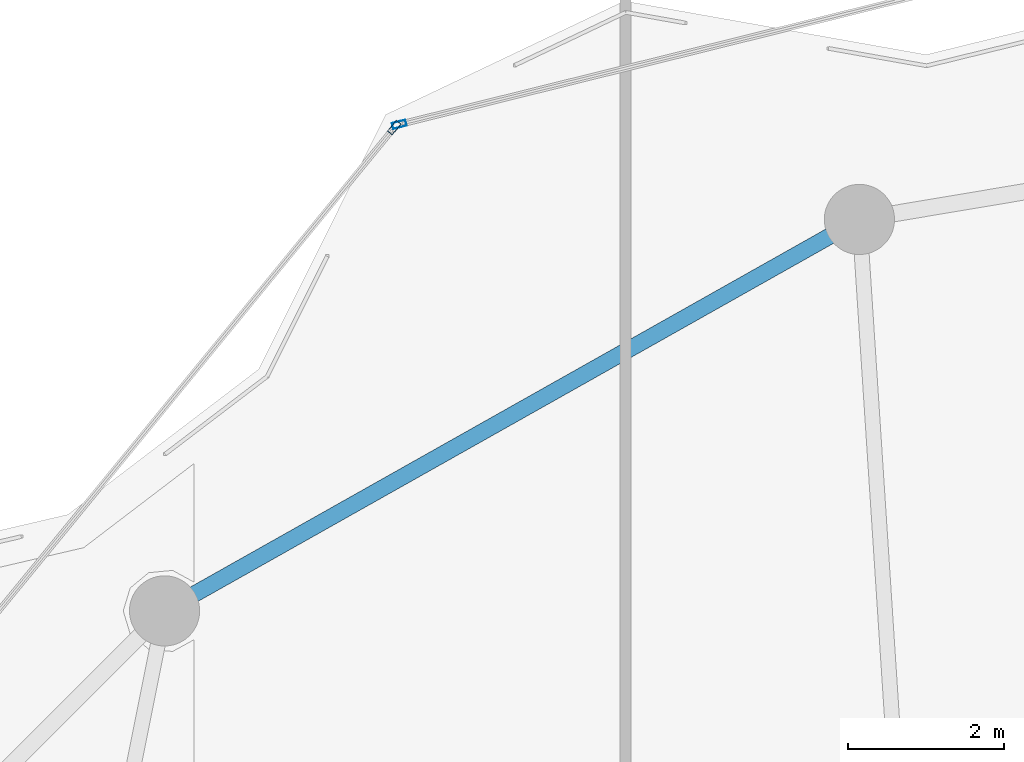
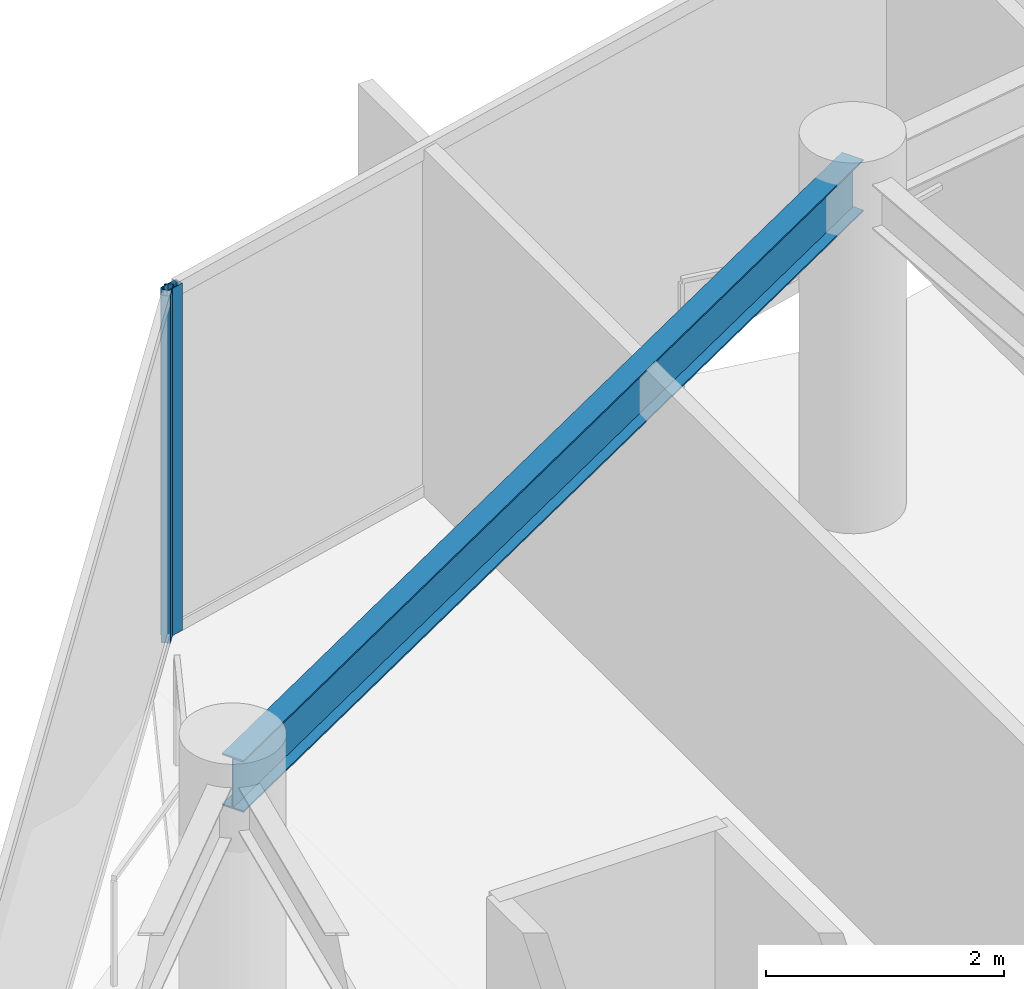
# One storey, part 19 of 29: 2 members, 1 beam, 2 elements without a shape of their own.
"""IFC4 building model written with IfcOpenShell, lengths in metres."""

from ifc_helpers import new_model, si_unit, direction, frame, origin, origin_2d, place, context, subcontext, project, spatial, hollow_rectangle, i_section, extrude, material, layer, layer_set, material_profile, profile_set, type_object, element, aggregate, save


model = new_model("IFC4")

# Units and contexts
model_context = context("Model", 3, precision=1e-05, world=origin(), true_north=direction((0.0, 1.0)))
body_context = subcontext(model_context, "Body", "Model", "MODEL_VIEW")
ifc_project = project(units=[si_unit("LENGTHUNIT", "METRE"), si_unit("AREAUNIT", "SQUARE_METRE"), si_unit("VOLUMEUNIT", "CUBIC_METRE"), si_unit("PLANEANGLEUNIT", "RADIAN"), si_unit("MASSUNIT", "GRAM", prefix="KILO")], contexts=[model_context])

# Site, building, storey
site_placement = place(None, origin())
site = spatial("IfcSite", under=ifc_project, at=site_placement, CompositionType="ELEMENT")
building_placement = place(site_placement, origin())
building = spatial("IfcBuilding", under=site, at=building_placement, Name="Kazevale Care Tower and Concert Hall", CompositionType="ELEMENT")
storey_placement = place(building_placement, frame((0.0, 0.0, 285.199951171875)))
storey = spatial("IfcBuildingStorey", under=building, at=storey_placement, Name="L75", CompositionType="ELEMENT", Elevation=285.199951171875)

# Curtain wall, member
ifc_material_1 = material(Name="Aluminium 6063-T6 and Low-E Glass", Category="aluminium")
ifc_layer_1 = layer(ifc_material_1, 0.179931640625)
ifc_layer_set_1 = layer_set([ifc_layer_1], Name="Aluminium 6063-T6 and Low-E Glass")
curtain_wall_type_1 = type_object("IfcCurtainWallType", Name="Convex Checkerboard Finned Curtain Wall CW-2", PredefinedType="NOTDEFINED", material=ifc_layer_set_1)
curtain_wall_1_placement = place(storey_placement, origin())
curtain_wall_1 = element("IfcCurtainWall", 1, at=curtain_wall_1_placement, inside=storey, type_object=curtain_wall_type_1, Name="cw:L75:f14", PredefinedType="NOTDEFINED")
ifc_material_2 = material(Name="Aluminium 6063-T6", Category="aluminium")
ifc_material_profile_1 = material_profile(ifc_material_2, hollow_rectangle(XDim=0.080078125, YDim=0.179931640625, WallThickness=0.0048828125, at=origin_2d()), Name="ALU80x180x5")
ifc_profile_set_1 = profile_set([ifc_material_profile_1], Name="Aluminium 6063-T6")
member_type_1 = type_object("IfcMemberType", Name="CW-2 Mullion ALU80x180x5", PredefinedType="MULLION", material=ifc_profile_set_1)
member_1_placement = place(storey_placement, frame((28.53564453125, 60.568115234375, 0.0), z_axis=(0.0, 0.0, 1.0), x_axis=(-0.773802882676, 0.63342647463, 0.0)))
member_1 = element("IfcMember", 2, at=member_1_placement, type_object=member_type_1, Name="CW-2 mullion 2", PredefinedType="MULLION", context=body_context, shape_type="SweptSolid", body=[
    extrude(hollow_rectangle(XDim=0.080078125, YDim=0.179931640625, WallThickness=0.0048828125, at=origin_2d()), origin(), (0.0, 0.0, 1.0), 3.56005859375),
])
aggregate(curtain_wall_1, [member_1])

ifc_layer_2 = layer(ifc_material_1, 0.179931640625)
ifc_layer_set_2 = layer_set([ifc_layer_2], Name="Aluminium 6063-T6 and Low-E Glass")
curtain_wall_type_2 = type_object("IfcCurtainWallType", Name="Waist & Upper Residential Curtain Wall CW-4", PredefinedType="NOTDEFINED", material=ifc_layer_set_2)
curtain_wall_2_placement = place(storey_placement, origin())
curtain_wall_2 = element("IfcCurtainWall", 3, at=curtain_wall_2_placement, inside=storey, type_object=curtain_wall_type_2, Name="cw:L75:f15", PredefinedType="NOTDEFINED")
ifc_material_profile_2 = material_profile(ifc_material_2, hollow_rectangle(XDim=0.080078125, YDim=0.179931640625, WallThickness=0.0048828125, at=origin_2d()), Name="ALU80x180x5")
ifc_profile_set_2 = profile_set([ifc_material_profile_2], Name="Aluminium 6063-T6")
member_type_2 = type_object("IfcMemberType", Name="CW-4 Mullion ALU80x180x5", PredefinedType="MULLION", material=ifc_profile_set_2)
member_2_placement = place(storey_placement, frame((28.599853515625, 60.608642578125, 0.0), z_axis=(0.0, 0.0, 1.0), x_axis=(-0.240891158711, 0.970552136495, 0.0)))
member_2 = element("IfcMember", 4, at=member_2_placement, type_object=member_type_2, Name="CW-4 mullion 1", PredefinedType="MULLION", context=body_context, shape_type="SweptSolid", body=[
    extrude(hollow_rectangle(XDim=0.080078125, YDim=0.179931640625, WallThickness=0.0048828125, at=origin_2d()), origin(), (0.0, 0.0, 1.0), 3.56005859375),
])
aggregate(curtain_wall_2, [member_2])

# Beam
ifc_material_3 = material(Name="Steel ASTM A572 Gr 50", Category="steel")
ifc_material_profile_3 = material_profile(ifc_material_3, i_section(OverallWidth=0.208984375, OverallDepth=0.532958984375, WebThickness=0.01025390625, FlangeThickness=0.015625, at=origin_2d()), Name="W530x92")
ifc_profile_set_3 = profile_set([ifc_material_profile_3], Name="Steel ASTM A572 Gr 50")
beam_type = type_object("IfcBeamType", Name="Upper Ring Beam W530x92", PredefinedType="BEAM", material=ifc_profile_set_3)
beam_placement = place(storey_placement, frame((34.5, 59.389892578125, 3.29345703125), z_axis=(-0.871243170179, -0.490851646035, 0.0), x_axis=(0.490851646035, -0.871243170179, 0.0)))
element("IfcBeam", 5, at=beam_placement, inside=storey, type_object=beam_type, Name="beam:L75:ring:06", PredefinedType="BEAM", context=body_context, shape_type="SweptSolid", body=[
    extrude(i_section(OverallWidth=0.208984375, OverallDepth=0.532958984375, WebThickness=0.01025390625, FlangeThickness=0.015625, at=origin_2d()), origin(), (0.0, 0.0, 1.0), 10.2265625),
])

save(model, "model.ifc")
